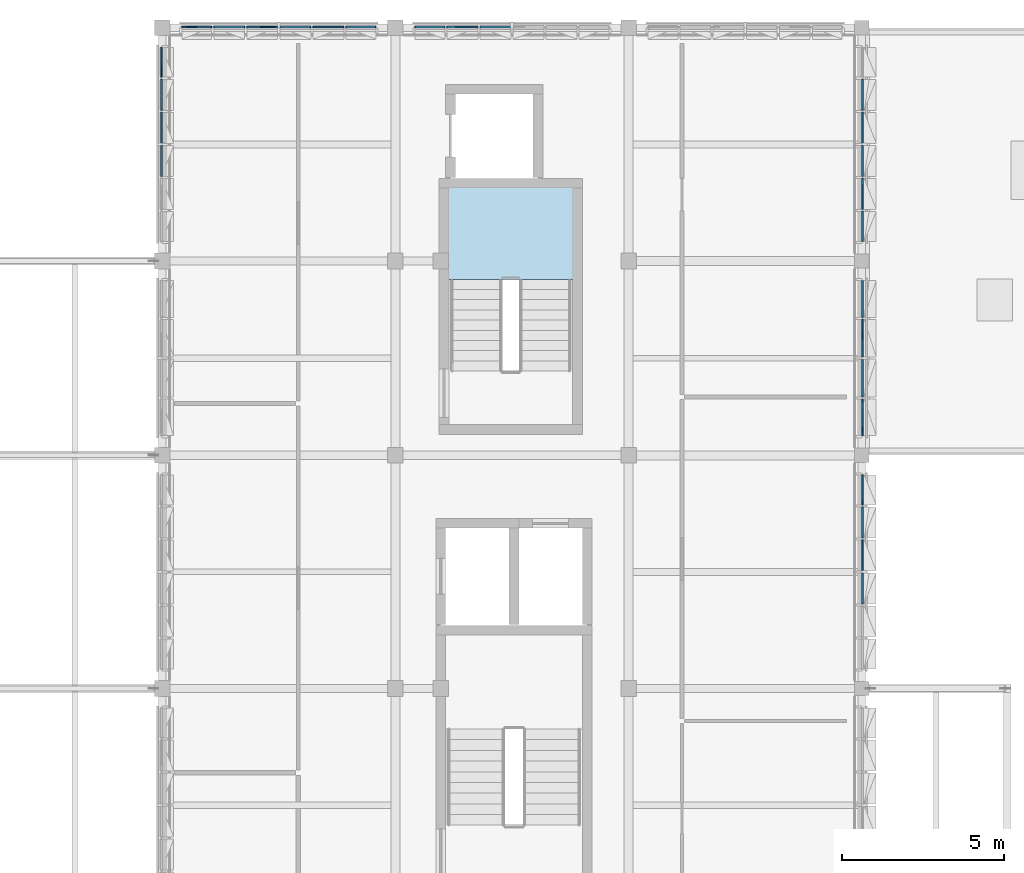
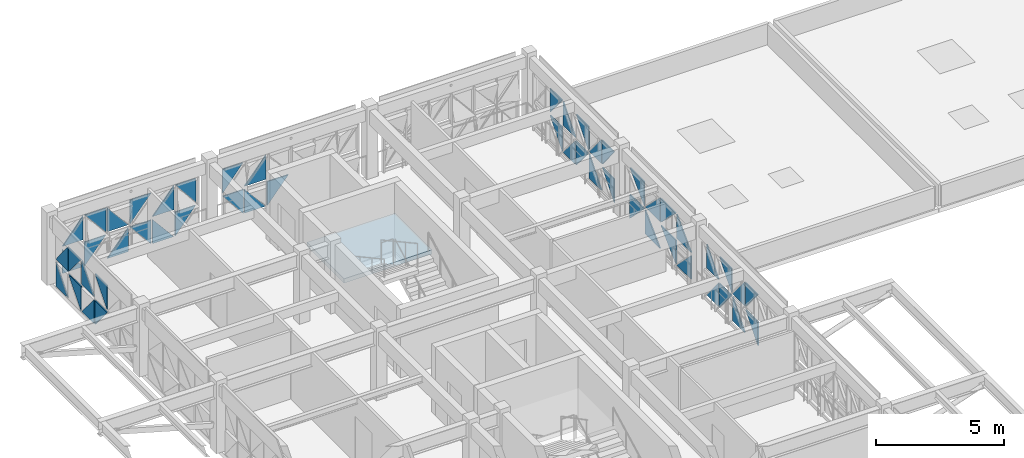
# One storey, part 14 of 30: 51 plates, 1 slab, 7 elements without a shape of their own.
"""IFC4 building model written with IfcOpenShell, lengths in metres."""

from ifc_helpers import new_model, si_unit, direction, frame, origin, place, context, subcontext, project, spatial, polyline, outline, extrude, material, layer, layer_set, type_object, element, aggregate, save


model = new_model("IFC4")

# Units and contexts
model_context = context("Model", 3, precision=1e-05, world=origin(), true_north=direction((0.0, 1.0)))
body_context = subcontext(model_context, "Body", "Model", "MODEL_VIEW")
ifc_project = project(units=[si_unit("LENGTHUNIT", "METRE"), si_unit("AREAUNIT", "SQUARE_METRE"), si_unit("VOLUMEUNIT", "CUBIC_METRE"), si_unit("PLANEANGLEUNIT", "RADIAN"), si_unit("MASSUNIT", "GRAM", prefix="KILO")], contexts=[model_context])

# Site, building, storey
site_placement = place(None, origin())
site = spatial("IfcSite", under=ifc_project, at=site_placement, CompositionType="ELEMENT")
building_placement = place(site_placement, origin())
building = spatial("IfcBuilding", under=site, at=building_placement, Name="Alvorim Cloister Faculty of Sciences", CompositionType="ELEMENT")
storey_placement = place(building_placement, frame((0.0, 0.0, 26.25)))
storey = spatial("IfcBuildingStorey", under=building, at=storey_placement, Name="L07", CompositionType="ELEMENT", Elevation=26.25)

# Curtain wall, plates
ifc_material_1 = material(Name="Aluminium and Low-E Glass Curtain Wall", Category="aluminium")
curtain_wall_type_1 = type_object("IfcCurtainWallType", Name="CW-TRI-6120x2700", PredefinedType="USERDEFINED", material=ifc_material_1)
curtain_wall_1_placement = place(storey_placement, origin())
curtain_wall_1 = element("IfcCurtainWall", 1, at=curtain_wall_1_placement, inside=storey, type_object=curtain_wall_type_1, Name="L07 Diagonal Cassette Curtain Wall CW-0271", ObjectType="UNITISED CURTAIN WALL", PredefinedType="USERDEFINED")
ifc_material_2 = material(Name="Double Low-E Laminated Glass", Category="glass")
ifc_layer_1 = layer(ifc_material_2, 0.0400390625)
ifc_layer_set_1 = layer_set([ifc_layer_1], Name="Double Low-E Laminated Glass")
plate_type = type_object("IfcPlateType", Name="PN-GLZ-40", PredefinedType="CURTAIN_PANEL", material=ifc_layer_set_1)
plate_1_placement = place(storey_placement, frame((7.175048828125, 51.8125, 0.139892578125), z_axis=(0.0, 0.0, 1.0), x_axis=(0.0, 1.0, 0.0)))
plate_1 = element("IfcPlate", 2, at=plate_1_placement, type_object=plate_type, Name="Diagonal Glazed Triangle TRI-TR", PredefinedType="CURTAIN_PANEL", context=body_context, shape_type="SweptSolid", body=[
    extrude(outline(polyline([(0.955078125, 0.001953125), (0.955078125, 1.14013671875), (0.001953125, 1.14013671875), (0.955078125, 0.001953125)])), frame((0.0, 0.02490234375, 0.0), z_axis=(0.0, -1.0, 0.0), x_axis=(1.0, 0.0, 0.0)), (0.0, 0.0, 1.0), 0.050048828125),
])
plate_2_placement = place(storey_placement, frame((7.175048828125, 51.8125, 1.419921875), z_axis=(0.0, 0.0, 1.0), x_axis=(0.0, 1.0, 0.0)))
plate_2 = element("IfcPlate", 3, at=plate_2_placement, type_object=plate_type, Name="Diagonal Glazed Triangle TRI-TL", PredefinedType="CURTAIN_PANEL", context=body_context, shape_type="SweptSolid", body=[
    extrude(outline(polyline([(0.953125, 1.14013671875), (0.0, 1.14013671875), (0.0, 0.001953125), (0.953125, 1.14013671875)])), frame((0.0, 0.02490234375, 0.0), z_axis=(0.0, -1.0, 0.0), x_axis=(1.0, 0.0, 0.0)), (0.0, 0.0, 1.0), 0.050048828125),
])
plate_3_placement = place(storey_placement, frame((7.175048828125, 52.83251953125, 0.139892578125), z_axis=(0.0, 0.0, 1.0), x_axis=(0.0, 1.0, 0.0)))
plate_3 = element("IfcPlate", 4, at=plate_3_placement, type_object=plate_type, Name="Diagonal Glazed Triangle TRI-BL", PredefinedType="CURTAIN_PANEL", context=body_context, shape_type="SweptSolid", body=[
    extrude(outline(polyline([(0.0, 0.0), (0.953125, 0.0), (0.0, 1.13818359375), (0.0, 0.0)])), frame((0.0, 0.02490234375, 0.0), z_axis=(0.0, -1.0, 0.0), x_axis=(1.0, 0.0, 0.0)), (0.0, 0.0, 1.0), 0.050048828125),
])
plate_4_placement = place(storey_placement, frame((7.175048828125, 52.83251953125, 1.419921875), z_axis=(0.0, 0.0, 1.0), x_axis=(0.0, 1.0, 0.0)))
plate_4 = element("IfcPlate", 5, at=plate_4_placement, type_object=plate_type, Name="Diagonal Glazed Triangle TRI-BR", PredefinedType="CURTAIN_PANEL", context=body_context, shape_type="SweptSolid", body=[
    extrude(outline(polyline([(0.001953125, 0.0), (0.955078125, 0.0), (0.955078125, 1.13818359375), (0.001953125, 0.0)])), frame((0.0, 0.02490234375, 0.0), z_axis=(0.0, -1.0, 0.0), x_axis=(1.0, 0.0, 0.0)), (0.0, 0.0, 1.0), 0.050048828125),
])
plate_5_placement = place(storey_placement, frame((7.175048828125, 53.8525390625, 0.139892578125), z_axis=(0.0, 0.0, 1.0), x_axis=(0.0, 1.0, 0.0)))
plate_5 = element("IfcPlate", 6, at=plate_5_placement, type_object=plate_type, Name="Diagonal Glazed Triangle TRI-TL", PredefinedType="CURTAIN_PANEL", context=body_context, shape_type="SweptSolid", body=[
    extrude(outline(polyline([(0.953125, 1.14013671875), (0.0, 1.14013671875), (0.0, 0.001953125), (0.953125, 1.14013671875)])), frame((0.0, 0.02490234375, 0.0), z_axis=(0.0, -1.0, 0.0), x_axis=(1.0, 0.0, 0.0)), (0.0, 0.0, 1.0), 0.050048828125),
])
plate_6_placement = place(storey_placement, frame((7.175048828125, 53.8525390625, 1.419921875), z_axis=(0.0, 0.0, 1.0), x_axis=(0.0, 1.0, 0.0)))
plate_6 = element("IfcPlate", 7, at=plate_6_placement, type_object=plate_type, Name="Diagonal Glazed Triangle TRI-TR", PredefinedType="CURTAIN_PANEL", context=body_context, shape_type="SweptSolid", body=[
    extrude(outline(polyline([(0.955078125, 0.001953125), (0.955078125, 1.14013671875), (0.001953125, 1.14013671875), (0.955078125, 0.001953125)])), frame((0.0, 0.02490234375, 0.0), z_axis=(0.0, -1.0, 0.0), x_axis=(1.0, 0.0, 0.0)), (0.0, 0.0, 1.0), 0.050048828125),
])
plate_7_placement = place(storey_placement, frame((7.175048828125, 54.87255859375, 0.139892578125), z_axis=(0.0, 0.0, 1.0), x_axis=(0.0, 1.0, 0.0)))
plate_7 = element("IfcPlate", 8, at=plate_7_placement, type_object=plate_type, Name="Diagonal Glazed Triangle TRI-BR", PredefinedType="CURTAIN_PANEL", context=body_context, shape_type="SweptSolid", body=[
    extrude(outline(polyline([(0.001953125, 0.0), (0.922607421875, 0.0), (0.922607421875, 1.13818359375), (0.001953125, 0.0)])), frame((0.0, 0.02490234375, 0.0), z_axis=(0.0, -1.0, 0.0), x_axis=(1.0, 0.0, 0.0)), (0.0, 0.0, 1.0), 0.050048828125),
])
plate_8_placement = place(storey_placement, frame((7.175048828125, 54.87255859375, 1.419921875), z_axis=(0.0, 0.0, 1.0), x_axis=(0.0, 1.0, 0.0)))
plate_8 = element("IfcPlate", 9, at=plate_8_placement, type_object=plate_type, Name="Diagonal Glazed Triangle TRI-BL", PredefinedType="CURTAIN_PANEL", context=body_context, shape_type="SweptSolid", body=[
    extrude(outline(polyline([(0.0, 0.0), (0.920654296875, 0.0), (0.0, 1.13818359375), (0.0, 0.0)])), frame((0.0, 0.02490234375, 0.0), z_axis=(0.0, -1.0, 0.0), x_axis=(1.0, 0.0, 0.0)), (0.0, 0.0, 1.0), 0.050048828125),
])
aggregate(curtain_wall_1, [plate_1, plate_2, plate_3, plate_4, plate_5, plate_6, plate_7, plate_8])

curtain_wall_2_placement = place(storey_placement, origin())
curtain_wall_2 = element("IfcCurtainWall", 10, at=curtain_wall_2_placement, inside=storey, type_object=curtain_wall_type_1, Name="L07 Diagonal Cassette Curtain Wall CW-0272", ObjectType="UNITISED CURTAIN WALL", PredefinedType="USERDEFINED")
plate_9_placement = place(storey_placement, frame((7.804931640625, 56.425048828125, 0.139892578125), z_axis=(0.0, 0.0, 1.0), x_axis=(1.0, 0.0, 0.0)))
plate_9 = element("IfcPlate", 11, at=plate_9_placement, type_object=plate_type, Name="Diagonal Glazed Triangle TRI-BL", PredefinedType="CURTAIN_PANEL", context=body_context, shape_type="SweptSolid", body=[
    extrude(outline(polyline([(0.0, 0.0), (0.920654296875, 0.0), (0.0, 1.13818359375), (0.0, 0.0)])), frame((0.0, 0.02490234375, 0.0), z_axis=(0.0, -1.0, 0.0), x_axis=(1.0, 0.0, 0.0)), (0.0, 0.0, 1.0), 0.050048828125),
])
plate_10_placement = place(storey_placement, frame((7.804931640625, 56.425048828125, 1.419921875), z_axis=(0.0, 0.0, 1.0), x_axis=(1.0, 0.0, 0.0)))
plate_10 = element("IfcPlate", 12, at=plate_10_placement, type_object=plate_type, Name="Diagonal Glazed Triangle TRI-BR", PredefinedType="CURTAIN_PANEL", context=body_context, shape_type="SweptSolid", body=[
    extrude(outline(polyline([(0.001953125, 0.0), (0.922607421875, 0.0), (0.922607421875, 1.13818359375), (0.001953125, 0.0)])), frame((0.0, 0.02490234375, 0.0), z_axis=(0.0, -1.0, 0.0), x_axis=(1.0, 0.0, 0.0)), (0.0, 0.0, 1.0), 0.050048828125),
])
plate_11_placement = place(storey_placement, frame((8.79248046875, 56.425048828125, 0.139892578125), z_axis=(0.0, 0.0, 1.0), x_axis=(1.0, 0.0, 0.0)))
plate_11 = element("IfcPlate", 13, at=plate_11_placement, type_object=plate_type, Name="Diagonal Glazed Triangle TRI-TL", PredefinedType="CURTAIN_PANEL", context=body_context, shape_type="SweptSolid", body=[
    extrude(outline(polyline([(0.953125, 1.14013671875), (0.0, 1.14013671875), (0.0, 0.001953125), (0.953125, 1.14013671875)])), frame((0.0, 0.02490234375, 0.0), z_axis=(0.0, -1.0, 0.0), x_axis=(1.0, 0.0, 0.0)), (0.0, 0.0, 1.0), 0.050048828125),
])
plate_12_placement = place(storey_placement, frame((8.79248046875, 56.425048828125, 1.419921875), z_axis=(0.0, 0.0, 1.0), x_axis=(1.0, 0.0, 0.0)))
plate_12 = element("IfcPlate", 14, at=plate_12_placement, type_object=plate_type, Name="Diagonal Glazed Triangle TRI-TR", PredefinedType="CURTAIN_PANEL", context=body_context, shape_type="SweptSolid", body=[
    extrude(outline(polyline([(0.955078125, 0.001953125), (0.955078125, 1.14013671875), (0.001953125, 1.14013671875), (0.955078125, 0.001953125)])), frame((0.0, 0.02490234375, 0.0), z_axis=(0.0, -1.0, 0.0), x_axis=(1.0, 0.0, 0.0)), (0.0, 0.0, 1.0), 0.050048828125),
])
plate_13_placement = place(storey_placement, frame((9.8125, 56.425048828125, 0.139892578125), z_axis=(0.0, 0.0, 1.0), x_axis=(1.0, 0.0, 0.0)))
plate_13 = element("IfcPlate", 15, at=plate_13_placement, type_object=plate_type, Name="Diagonal Glazed Triangle TRI-BR", PredefinedType="CURTAIN_PANEL", context=body_context, shape_type="SweptSolid", body=[
    extrude(outline(polyline([(0.001953125, 0.0), (0.955078125, 0.0), (0.955078125, 1.13818359375), (0.001953125, 0.0)])), frame((0.0, 0.02490234375, 0.0), z_axis=(0.0, -1.0, 0.0), x_axis=(1.0, 0.0, 0.0)), (0.0, 0.0, 1.0), 0.050048828125),
])
plate_14_placement = place(storey_placement, frame((9.8125, 56.425048828125, 1.419921875), z_axis=(0.0, 0.0, 1.0), x_axis=(1.0, 0.0, 0.0)))
plate_14 = element("IfcPlate", 16, at=plate_14_placement, type_object=plate_type, Name="Diagonal Glazed Triangle TRI-BL", PredefinedType="CURTAIN_PANEL", context=body_context, shape_type="SweptSolid", body=[
    extrude(outline(polyline([(0.0, 0.0), (0.953125, 0.0), (0.0, 1.13818359375), (0.0, 0.0)])), frame((0.0, 0.02490234375, 0.0), z_axis=(0.0, -1.0, 0.0), x_axis=(1.0, 0.0, 0.0)), (0.0, 0.0, 1.0), 0.050048828125),
])
plate_15_placement = place(storey_placement, frame((10.83251953125, 56.425048828125, 0.139892578125), z_axis=(0.0, 0.0, 1.0), x_axis=(1.0, 0.0, 0.0)))
plate_15 = element("IfcPlate", 17, at=plate_15_placement, type_object=plate_type, Name="Diagonal Glazed Triangle TRI-TR", PredefinedType="CURTAIN_PANEL", context=body_context, shape_type="SweptSolid", body=[
    extrude(outline(polyline([(0.955078125, 0.001953125), (0.955078125, 1.14013671875), (0.001953125, 1.14013671875), (0.955078125, 0.001953125)])), frame((0.0, 0.02490234375, 0.0), z_axis=(0.0, -1.0, 0.0), x_axis=(1.0, 0.0, 0.0)), (0.0, 0.0, 1.0), 0.050048828125),
])
plate_16_placement = place(storey_placement, frame((10.83251953125, 56.425048828125, 1.419921875), z_axis=(0.0, 0.0, 1.0), x_axis=(1.0, 0.0, 0.0)))
plate_16 = element("IfcPlate", 18, at=plate_16_placement, type_object=plate_type, Name="Diagonal Glazed Triangle TRI-TL", PredefinedType="CURTAIN_PANEL", context=body_context, shape_type="SweptSolid", body=[
    extrude(outline(polyline([(0.953125, 1.14013671875), (0.0, 1.14013671875), (0.0, 0.001953125), (0.953125, 1.14013671875)])), frame((0.0, 0.02490234375, 0.0), z_axis=(0.0, -1.0, 0.0), x_axis=(1.0, 0.0, 0.0)), (0.0, 0.0, 1.0), 0.050048828125),
])
plate_17_placement = place(storey_placement, frame((11.8525390625, 56.425048828125, 0.139892578125), z_axis=(0.0, 0.0, 1.0), x_axis=(1.0, 0.0, 0.0)))
plate_17 = element("IfcPlate", 19, at=plate_17_placement, type_object=plate_type, Name="Diagonal Glazed Triangle TRI-BL", PredefinedType="CURTAIN_PANEL", context=body_context, shape_type="SweptSolid", body=[
    extrude(outline(polyline([(0.0, 0.0), (0.953125, 0.0), (0.0, 1.13818359375), (0.0, 0.0)])), frame((0.0, 0.02490234375, 0.0), z_axis=(0.0, -1.0, 0.0), x_axis=(1.0, 0.0, 0.0)), (0.0, 0.0, 1.0), 0.050048828125),
])
plate_18_placement = place(storey_placement, frame((11.8525390625, 56.425048828125, 1.419921875), z_axis=(0.0, 0.0, 1.0), x_axis=(1.0, 0.0, 0.0)))
plate_18 = element("IfcPlate", 20, at=plate_18_placement, type_object=plate_type, Name="Diagonal Glazed Triangle TRI-BR", PredefinedType="CURTAIN_PANEL", context=body_context, shape_type="SweptSolid", body=[
    extrude(outline(polyline([(0.001953125, 0.0), (0.955078125, 0.0), (0.955078125, 1.13818359375), (0.001953125, 0.0)])), frame((0.0, 0.02490234375, 0.0), z_axis=(0.0, -1.0, 0.0), x_axis=(1.0, 0.0, 0.0)), (0.0, 0.0, 1.0), 0.050048828125),
])
plate_19_placement = place(storey_placement, frame((12.87255859375, 56.425048828125, 0.139892578125), z_axis=(0.0, 0.0, 1.0), x_axis=(1.0, 0.0, 0.0)))
plate_19 = element("IfcPlate", 21, at=plate_19_placement, type_object=plate_type, Name="Diagonal Glazed Triangle TRI-TL", PredefinedType="CURTAIN_PANEL", context=body_context, shape_type="SweptSolid", body=[
    extrude(outline(polyline([(0.920654296875, 1.14013671875), (0.0, 1.14013671875), (0.0, 0.001953125), (0.920654296875, 1.14013671875)])), frame((0.0, 0.02490234375, 0.0), z_axis=(0.0, -1.0, 0.0), x_axis=(1.0, 0.0, 0.0)), (0.0, 0.0, 1.0), 0.050048828125),
])
plate_20_placement = place(storey_placement, frame((12.87255859375, 56.425048828125, 1.419921875), z_axis=(0.0, 0.0, 1.0), x_axis=(1.0, 0.0, 0.0)))
plate_20 = element("IfcPlate", 22, at=plate_20_placement, type_object=plate_type, Name="Diagonal Glazed Triangle TRI-TR", PredefinedType="CURTAIN_PANEL", context=body_context, shape_type="SweptSolid", body=[
    extrude(outline(polyline([(0.922607421875, 0.001953125), (0.922607421875, 1.14013671875), (0.001953125, 1.14013671875), (0.922607421875, 0.001953125)])), frame((0.0, 0.02490234375, 0.0), z_axis=(0.0, -1.0, 0.0), x_axis=(1.0, 0.0, 0.0)), (0.0, 0.0, 1.0), 0.050048828125),
])
aggregate(curtain_wall_2, [plate_9, plate_10, plate_11, plate_12, plate_13, plate_14, plate_15, plate_16, plate_17, plate_18, plate_19, plate_20])

curtain_wall_3_placement = place(storey_placement, origin())
curtain_wall_3 = element("IfcCurtainWall", 23, at=curtain_wall_3_placement, inside=storey, type_object=curtain_wall_type_1, Name="L07 Diagonal Cassette Curtain Wall CW-0273", ObjectType="UNITISED CURTAIN WALL", PredefinedType="USERDEFINED")
plate_21_placement = place(storey_placement, frame((15.0048828125, 56.425048828125, 0.139892578125), z_axis=(0.0, 0.0, 1.0), x_axis=(1.0, 0.0, 0.0)))
plate_21 = element("IfcPlate", 24, at=plate_21_placement, type_object=plate_type, Name="Diagonal Glazed Triangle TRI-TR", PredefinedType="CURTAIN_PANEL", context=body_context, shape_type="SweptSolid", body=[
    extrude(outline(polyline([(0.922607421875, 0.001953125), (0.922607421875, 1.14013671875), (0.001953125, 1.14013671875), (0.922607421875, 0.001953125)])), frame((0.0, 0.02490234375, 0.0), z_axis=(0.0, -1.0, 0.0), x_axis=(1.0, 0.0, 0.0)), (0.0, 0.0, 1.0), 0.050048828125),
])
plate_22_placement = place(storey_placement, frame((15.0048828125, 56.425048828125, 1.419921875), z_axis=(0.0, 0.0, 1.0), x_axis=(1.0, 0.0, 0.0)))
plate_22 = element("IfcPlate", 25, at=plate_22_placement, type_object=plate_type, Name="Diagonal Glazed Triangle TRI-TL", PredefinedType="CURTAIN_PANEL", context=body_context, shape_type="SweptSolid", body=[
    extrude(outline(polyline([(0.920654296875, 1.14013671875), (0.0, 1.14013671875), (0.0, 0.001953125), (0.920654296875, 1.14013671875)])), frame((0.0, 0.02490234375, 0.0), z_axis=(0.0, -1.0, 0.0), x_axis=(1.0, 0.0, 0.0)), (0.0, 0.0, 1.0), 0.050048828125),
])
plate_23_placement = place(storey_placement, frame((15.992431640625, 56.425048828125, 0.139892578125), z_axis=(0.0, 0.0, 1.0), x_axis=(1.0, 0.0, 0.0)))
plate_23 = element("IfcPlate", 26, at=plate_23_placement, type_object=plate_type, Name="Diagonal Glazed Triangle TRI-BL", PredefinedType="CURTAIN_PANEL", context=body_context, shape_type="SweptSolid", body=[
    extrude(outline(polyline([(0.0, 0.0), (0.953125, 0.0), (0.0, 1.13818359375), (0.0, 0.0)])), frame((0.0, 0.02490234375, 0.0), z_axis=(0.0, -1.0, 0.0), x_axis=(1.0, 0.0, 0.0)), (0.0, 0.0, 1.0), 0.050048828125),
])
plate_24_placement = place(storey_placement, frame((15.992431640625, 56.425048828125, 1.419921875), z_axis=(0.0, 0.0, 1.0), x_axis=(1.0, 0.0, 0.0)))
plate_24 = element("IfcPlate", 27, at=plate_24_placement, type_object=plate_type, Name="Diagonal Glazed Triangle TRI-BR", PredefinedType="CURTAIN_PANEL", context=body_context, shape_type="SweptSolid", body=[
    extrude(outline(polyline([(0.001953125, 0.0), (0.955078125, 0.0), (0.955078125, 1.13818359375), (0.001953125, 0.0)])), frame((0.0, 0.02490234375, 0.0), z_axis=(0.0, -1.0, 0.0), x_axis=(1.0, 0.0, 0.0)), (0.0, 0.0, 1.0), 0.050048828125),
])
plate_25_placement = place(storey_placement, frame((17.012451171875, 56.425048828125, 0.139892578125), z_axis=(0.0, 0.0, 1.0), x_axis=(1.0, 0.0, 0.0)))
plate_25 = element("IfcPlate", 28, at=plate_25_placement, type_object=plate_type, Name="Diagonal Glazed Triangle TRI-TL", PredefinedType="CURTAIN_PANEL", context=body_context, shape_type="SweptSolid", body=[
    extrude(outline(polyline([(0.953125, 1.14013671875), (0.0, 1.14013671875), (0.0, 0.001953125), (0.953125, 1.14013671875)])), frame((0.0, 0.02490234375, 0.0), z_axis=(0.0, -1.0, 0.0), x_axis=(1.0, 0.0, 0.0)), (0.0, 0.0, 1.0), 0.050048828125),
])
aggregate(curtain_wall_3, [plate_21, plate_22, plate_23, plate_24, plate_25])

curtain_wall_4_placement = place(storey_placement, origin())
curtain_wall_4 = element("IfcCurtainWall", 29, at=curtain_wall_4_placement, inside=storey, type_object=curtain_wall_type_1, Name="L07 Diagonal Cassette Curtain Wall CW-0275", ObjectType="UNITISED CURTAIN WALL", PredefinedType="USERDEFINED")
plate_26_placement = place(storey_placement, frame((28.824951171875, 49.804931640625, 0.139892578125), z_axis=(0.0, 0.0, 1.0), x_axis=(0.0, 1.0, 0.0)))
plate_26 = element("IfcPlate", 30, at=plate_26_placement, type_object=plate_type, Name="Diagonal Glazed Triangle TRI-TL", PredefinedType="CURTAIN_PANEL", context=body_context, shape_type="SweptSolid", body=[
    extrude(outline(polyline([(0.920654296875, 1.14013671875), (0.0, 1.14013671875), (0.0, 0.001953125), (0.920654296875, 1.14013671875)])), frame((0.0, 0.02490234375, 0.0), z_axis=(0.0, -1.0, 0.0), x_axis=(1.0, 0.0, 0.0)), (0.0, 0.0, 1.0), 0.050048828125),
])
plate_27_placement = place(storey_placement, frame((28.824951171875, 49.804931640625, 1.419921875), z_axis=(0.0, 0.0, 1.0), x_axis=(0.0, 1.0, 0.0)))
plate_27 = element("IfcPlate", 31, at=plate_27_placement, type_object=plate_type, Name="Diagonal Glazed Triangle TRI-TR", PredefinedType="CURTAIN_PANEL", context=body_context, shape_type="SweptSolid", body=[
    extrude(outline(polyline([(0.922607421875, 0.001953125), (0.922607421875, 1.14013671875), (0.001953125, 1.14013671875), (0.922607421875, 0.001953125)])), frame((0.0, 0.02490234375, 0.0), z_axis=(0.0, -1.0, 0.0), x_axis=(1.0, 0.0, 0.0)), (0.0, 0.0, 1.0), 0.050048828125),
])
plate_28_placement = place(storey_placement, frame((28.824951171875, 50.79248046875, 0.139892578125), z_axis=(0.0, 0.0, 1.0), x_axis=(0.0, 1.0, 0.0)))
plate_28 = element("IfcPlate", 32, at=plate_28_placement, type_object=plate_type, Name="Diagonal Glazed Triangle TRI-BR", PredefinedType="CURTAIN_PANEL", context=body_context, shape_type="SweptSolid", body=[
    extrude(outline(polyline([(0.001953125, 0.0), (0.955078125, 0.0), (0.955078125, 1.13818359375), (0.001953125, 0.0)])), frame((0.0, 0.02490234375, 0.0), z_axis=(0.0, -1.0, 0.0), x_axis=(1.0, 0.0, 0.0)), (0.0, 0.0, 1.0), 0.050048828125),
])
plate_29_placement = place(storey_placement, frame((28.824951171875, 50.79248046875, 1.419921875), z_axis=(0.0, 0.0, 1.0), x_axis=(0.0, 1.0, 0.0)))
plate_29 = element("IfcPlate", 33, at=plate_29_placement, type_object=plate_type, Name="Diagonal Glazed Triangle TRI-BL", PredefinedType="CURTAIN_PANEL", context=body_context, shape_type="SweptSolid", body=[
    extrude(outline(polyline([(0.0, 0.0), (0.953125, 0.0), (0.0, 1.13818359375), (0.0, 0.0)])), frame((0.0, 0.02490234375, 0.0), z_axis=(0.0, -1.0, 0.0), x_axis=(1.0, 0.0, 0.0)), (0.0, 0.0, 1.0), 0.050048828125),
])
plate_30_placement = place(storey_placement, frame((28.824951171875, 51.8125, 0.139892578125), z_axis=(0.0, 0.0, 1.0), x_axis=(0.0, 1.0, 0.0)))
plate_30 = element("IfcPlate", 34, at=plate_30_placement, type_object=plate_type, Name="Diagonal Glazed Triangle TRI-TR", PredefinedType="CURTAIN_PANEL", context=body_context, shape_type="SweptSolid", body=[
    extrude(outline(polyline([(0.955078125, 0.001953125), (0.955078125, 1.14013671875), (0.001953125, 1.14013671875), (0.955078125, 0.001953125)])), frame((0.0, 0.02490234375, 0.0), z_axis=(0.0, -1.0, 0.0), x_axis=(1.0, 0.0, 0.0)), (0.0, 0.0, 1.0), 0.050048828125),
])
plate_31_placement = place(storey_placement, frame((28.824951171875, 51.8125, 1.419921875), z_axis=(0.0, 0.0, 1.0), x_axis=(0.0, 1.0, 0.0)))
plate_31 = element("IfcPlate", 35, at=plate_31_placement, type_object=plate_type, Name="Diagonal Glazed Triangle TRI-TL", PredefinedType="CURTAIN_PANEL", context=body_context, shape_type="SweptSolid", body=[
    extrude(outline(polyline([(0.953125, 1.14013671875), (0.0, 1.14013671875), (0.0, 0.001953125), (0.953125, 1.14013671875)])), frame((0.0, 0.02490234375, 0.0), z_axis=(0.0, -1.0, 0.0), x_axis=(1.0, 0.0, 0.0)), (0.0, 0.0, 1.0), 0.050048828125),
])
plate_32_placement = place(storey_placement, frame((28.824951171875, 52.83251953125, 0.139892578125), z_axis=(0.0, 0.0, 1.0), x_axis=(0.0, 1.0, 0.0)))
plate_32 = element("IfcPlate", 36, at=plate_32_placement, type_object=plate_type, Name="Diagonal Glazed Triangle TRI-BL", PredefinedType="CURTAIN_PANEL", context=body_context, shape_type="SweptSolid", body=[
    extrude(outline(polyline([(0.0, 0.0), (0.953125, 0.0), (0.0, 1.13818359375), (0.0, 0.0)])), frame((0.0, 0.02490234375, 0.0), z_axis=(0.0, -1.0, 0.0), x_axis=(1.0, 0.0, 0.0)), (0.0, 0.0, 1.0), 0.050048828125),
])
plate_33_placement = place(storey_placement, frame((28.824951171875, 52.83251953125, 1.419921875), z_axis=(0.0, 0.0, 1.0), x_axis=(0.0, 1.0, 0.0)))
plate_33 = element("IfcPlate", 37, at=plate_33_placement, type_object=plate_type, Name="Diagonal Glazed Triangle TRI-BR", PredefinedType="CURTAIN_PANEL", context=body_context, shape_type="SweptSolid", body=[
    extrude(outline(polyline([(0.001953125, 0.0), (0.955078125, 0.0), (0.955078125, 1.13818359375), (0.001953125, 0.0)])), frame((0.0, 0.02490234375, 0.0), z_axis=(0.0, -1.0, 0.0), x_axis=(1.0, 0.0, 0.0)), (0.0, 0.0, 1.0), 0.050048828125),
])
plate_34_placement = place(storey_placement, frame((28.824951171875, 53.8525390625, 0.139892578125), z_axis=(0.0, 0.0, 1.0), x_axis=(0.0, 1.0, 0.0)))
plate_34 = element("IfcPlate", 38, at=plate_34_placement, type_object=plate_type, Name="Diagonal Glazed Triangle TRI-TL", PredefinedType="CURTAIN_PANEL", context=body_context, shape_type="SweptSolid", body=[
    extrude(outline(polyline([(0.953125, 1.14013671875), (0.0, 1.14013671875), (0.0, 0.001953125), (0.953125, 1.14013671875)])), frame((0.0, 0.02490234375, 0.0), z_axis=(0.0, -1.0, 0.0), x_axis=(1.0, 0.0, 0.0)), (0.0, 0.0, 1.0), 0.050048828125),
])
plate_35_placement = place(storey_placement, frame((28.824951171875, 53.8525390625, 1.419921875), z_axis=(0.0, 0.0, 1.0), x_axis=(0.0, 1.0, 0.0)))
plate_35 = element("IfcPlate", 39, at=plate_35_placement, type_object=plate_type, Name="Diagonal Glazed Triangle TRI-TR", PredefinedType="CURTAIN_PANEL", context=body_context, shape_type="SweptSolid", body=[
    extrude(outline(polyline([(0.955078125, 0.001953125), (0.955078125, 1.14013671875), (0.001953125, 1.14013671875), (0.955078125, 0.001953125)])), frame((0.0, 0.02490234375, 0.0), z_axis=(0.0, -1.0, 0.0), x_axis=(1.0, 0.0, 0.0)), (0.0, 0.0, 1.0), 0.050048828125),
])
aggregate(curtain_wall_4, [plate_26, plate_27, plate_28, plate_29, plate_30, plate_31, plate_32, plate_33, plate_34, plate_35])

curtain_wall_type_2 = type_object("IfcCurtainWallType", Name="CW-TRI-4920x2700", PredefinedType="USERDEFINED", material=ifc_material_1)
curtain_wall_5_placement = place(storey_placement, origin())
curtain_wall_5 = element("IfcCurtainWall", 40, at=curtain_wall_5_placement, inside=storey, type_object=curtain_wall_type_2, Name="L07 Diagonal Cassette Curtain Wall CW-0276", ObjectType="UNITISED CURTAIN WALL", PredefinedType="USERDEFINED")
plate_36_placement = place(storey_placement, frame((28.824951171875, 43.804931640625, 0.139892578125), z_axis=(0.0, 0.0, 1.0), x_axis=(0.0, 1.0, 0.0)))
plate_36 = element("IfcPlate", 41, at=plate_36_placement, type_object=plate_type, Name="Diagonal Glazed Triangle TRI-BL", PredefinedType="CURTAIN_PANEL", context=body_context, shape_type="SweptSolid", body=[
    extrude(outline(polyline([(0.0, 0.0), (1.130615234375, 0.0), (0.0, 1.13818359375), (0.0, 0.0)])), frame((0.0, 0.02490234375, 0.0), z_axis=(0.0, -1.0, 0.0), x_axis=(1.0, 0.0, 0.0)), (0.0, 0.0, 1.0), 0.050048828125),
])
plate_37_placement = place(storey_placement, frame((28.824951171875, 43.804931640625, 1.419921875), z_axis=(0.0, 0.0, 1.0), x_axis=(0.0, 1.0, 0.0)))
plate_37 = element("IfcPlate", 42, at=plate_37_placement, type_object=plate_type, Name="Diagonal Glazed Triangle TRI-BR", PredefinedType="CURTAIN_PANEL", context=body_context, shape_type="SweptSolid", body=[
    extrude(outline(polyline([(0.001953125, 0.0), (1.132568359375, 0.0), (1.132568359375, 1.13818359375), (0.001953125, 0.0)])), frame((0.0, 0.02490234375, 0.0), z_axis=(0.0, -1.0, 0.0), x_axis=(1.0, 0.0, 0.0)), (0.0, 0.0, 1.0), 0.050048828125),
])
plate_38_placement = place(storey_placement, frame((28.824951171875, 45.00244140625, 0.139892578125), z_axis=(0.0, 0.0, 1.0), x_axis=(0.0, 1.0, 0.0)))
plate_38 = element("IfcPlate", 43, at=plate_38_placement, type_object=plate_type, Name="Diagonal Glazed Triangle TRI-TL", PredefinedType="CURTAIN_PANEL", context=body_context, shape_type="SweptSolid", body=[
    extrude(outline(polyline([(1.1630859375, 1.14013671875), (0.0, 1.14013671875), (0.0, 0.001953125), (1.1630859375, 1.14013671875)])), frame((0.0, 0.02490234375, 0.0), z_axis=(0.0, -1.0, 0.0), x_axis=(1.0, 0.0, 0.0)), (0.0, 0.0, 1.0), 0.050048828125),
])
plate_39_placement = place(storey_placement, frame((28.824951171875, 45.00244140625, 1.419921875), z_axis=(0.0, 0.0, 1.0), x_axis=(0.0, 1.0, 0.0)))
plate_39 = element("IfcPlate", 44, at=plate_39_placement, type_object=plate_type, Name="Diagonal Glazed Triangle TRI-TR", PredefinedType="CURTAIN_PANEL", context=body_context, shape_type="SweptSolid", body=[
    extrude(outline(polyline([(1.1650390625, 0.001953125), (1.1650390625, 1.14013671875), (0.001953125, 1.14013671875), (1.1650390625, 0.001953125)])), frame((0.0, 0.02490234375, 0.0), z_axis=(0.0, -1.0, 0.0), x_axis=(1.0, 0.0, 0.0)), (0.0, 0.0, 1.0), 0.050048828125),
])
plate_40_placement = place(storey_placement, frame((28.824951171875, 46.232421875, 0.139892578125), z_axis=(0.0, 0.0, 1.0), x_axis=(0.0, 1.0, 0.0)))
plate_40 = element("IfcPlate", 45, at=plate_40_placement, type_object=plate_type, Name="Diagonal Glazed Triangle TRI-BR", PredefinedType="CURTAIN_PANEL", context=body_context, shape_type="SweptSolid", body=[
    extrude(outline(polyline([(0.001953125, 0.0), (1.1650390625, 0.0), (1.1650390625, 1.13818359375), (0.001953125, 0.0)])), frame((0.0, 0.02490234375, 0.0), z_axis=(0.0, -1.0, 0.0), x_axis=(1.0, 0.0, 0.0)), (0.0, 0.0, 1.0), 0.050048828125),
])
plate_41_placement = place(storey_placement, frame((28.824951171875, 46.232421875, 1.419921875), z_axis=(0.0, 0.0, 1.0), x_axis=(0.0, 1.0, 0.0)))
plate_41 = element("IfcPlate", 46, at=plate_41_placement, type_object=plate_type, Name="Diagonal Glazed Triangle TRI-BL", PredefinedType="CURTAIN_PANEL", context=body_context, shape_type="SweptSolid", body=[
    extrude(outline(polyline([(0.0, 0.0), (1.1630859375, 0.0), (0.0, 1.13818359375), (0.0, 0.0)])), frame((0.0, 0.02490234375, 0.0), z_axis=(0.0, -1.0, 0.0), x_axis=(1.0, 0.0, 0.0)), (0.0, 0.0, 1.0), 0.050048828125),
])
plate_42_placement = place(storey_placement, frame((28.824951171875, 47.46240234375, 0.139892578125), z_axis=(0.0, 0.0, 1.0), x_axis=(0.0, 1.0, 0.0)))
plate_42 = element("IfcPlate", 47, at=plate_42_placement, type_object=plate_type, Name="Diagonal Glazed Triangle TRI-TR", PredefinedType="CURTAIN_PANEL", context=body_context, shape_type="SweptSolid", body=[
    extrude(outline(polyline([(1.132568359375, 0.001953125), (1.132568359375, 1.14013671875), (0.001953125, 1.14013671875), (1.132568359375, 0.001953125)])), frame((0.0, 0.02490234375, 0.0), z_axis=(0.0, -1.0, 0.0), x_axis=(1.0, 0.0, 0.0)), (0.0, 0.0, 1.0), 0.050048828125),
])
plate_43_placement = place(storey_placement, frame((28.824951171875, 47.46240234375, 1.419921875), z_axis=(0.0, 0.0, 1.0), x_axis=(0.0, 1.0, 0.0)))
plate_43 = element("IfcPlate", 48, at=plate_43_placement, type_object=plate_type, Name="Diagonal Glazed Triangle TRI-TL", PredefinedType="CURTAIN_PANEL", context=body_context, shape_type="SweptSolid", body=[
    extrude(outline(polyline([(1.130615234375, 1.14013671875), (0.0, 1.14013671875), (0.0, 0.001953125), (1.130615234375, 1.14013671875)])), frame((0.0, 0.02490234375, 0.0), z_axis=(0.0, -1.0, 0.0), x_axis=(1.0, 0.0, 0.0)), (0.0, 0.0, 1.0), 0.050048828125),
])
aggregate(curtain_wall_5, [plate_36, plate_37, plate_38, plate_39, plate_40, plate_41, plate_42, plate_43])

curtain_wall_6_placement = place(storey_placement, origin())
curtain_wall_6 = element("IfcCurtainWall", 49, at=curtain_wall_6_placement, inside=storey, type_object=curtain_wall_type_1, Name="L07 Diagonal Cassette Curtain Wall CW-0277", ObjectType="UNITISED CURTAIN WALL", PredefinedType="USERDEFINED")
plate_44_placement = place(storey_placement, frame((28.824951171875, 38.612548828125, 0.139892578125), z_axis=(0.0, 0.0, 1.0), x_axis=(0.0, 1.0, 0.0)))
plate_44 = element("IfcPlate", 50, at=plate_44_placement, type_object=plate_type, Name="Diagonal Glazed Triangle TRI-TL", PredefinedType="CURTAIN_PANEL", context=body_context, shape_type="SweptSolid", body=[
    extrude(outline(polyline([(0.953125, 1.14013671875), (0.0, 1.14013671875), (0.0, 0.001953125), (0.953125, 1.14013671875)])), frame((0.0, 0.02490234375, 0.0), z_axis=(0.0, -1.0, 0.0), x_axis=(1.0, 0.0, 0.0)), (0.0, 0.0, 1.0), 0.050048828125),
])
plate_45_placement = place(storey_placement, frame((28.824951171875, 38.612548828125, 1.419921875), z_axis=(0.0, 0.0, 1.0), x_axis=(0.0, 1.0, 0.0)))
plate_45 = element("IfcPlate", 51, at=plate_45_placement, type_object=plate_type, Name="Diagonal Glazed Triangle TRI-TR", PredefinedType="CURTAIN_PANEL", context=body_context, shape_type="SweptSolid", body=[
    extrude(outline(polyline([(0.955078125, 0.001953125), (0.955078125, 1.14013671875), (0.001953125, 1.14013671875), (0.955078125, 0.001953125)])), frame((0.0, 0.02490234375, 0.0), z_axis=(0.0, -1.0, 0.0), x_axis=(1.0, 0.0, 0.0)), (0.0, 0.0, 1.0), 0.050048828125),
])
plate_46_placement = place(storey_placement, frame((28.824951171875, 39.632568359375, 0.139892578125), z_axis=(0.0, 0.0, 1.0), x_axis=(0.0, 1.0, 0.0)))
plate_46 = element("IfcPlate", 52, at=plate_46_placement, type_object=plate_type, Name="Diagonal Glazed Triangle TRI-BR", PredefinedType="CURTAIN_PANEL", context=body_context, shape_type="SweptSolid", body=[
    extrude(outline(polyline([(0.001953125, 0.0), (0.955078125, 0.0), (0.955078125, 1.13818359375), (0.001953125, 0.0)])), frame((0.0, 0.02490234375, 0.0), z_axis=(0.0, -1.0, 0.0), x_axis=(1.0, 0.0, 0.0)), (0.0, 0.0, 1.0), 0.050048828125),
])
plate_47_placement = place(storey_placement, frame((28.824951171875, 39.632568359375, 1.419921875), z_axis=(0.0, 0.0, 1.0), x_axis=(0.0, 1.0, 0.0)))
plate_47 = element("IfcPlate", 53, at=plate_47_placement, type_object=plate_type, Name="Diagonal Glazed Triangle TRI-BL", PredefinedType="CURTAIN_PANEL", context=body_context, shape_type="SweptSolid", body=[
    extrude(outline(polyline([(0.0, 0.0), (0.953125, 0.0), (0.0, 1.13818359375), (0.0, 0.0)])), frame((0.0, 0.02490234375, 0.0), z_axis=(0.0, -1.0, 0.0), x_axis=(1.0, 0.0, 0.0)), (0.0, 0.0, 1.0), 0.050048828125),
])
plate_48_placement = place(storey_placement, frame((28.824951171875, 40.652587890625, 0.139892578125), z_axis=(0.0, 0.0, 1.0), x_axis=(0.0, 1.0, 0.0)))
plate_48 = element("IfcPlate", 54, at=plate_48_placement, type_object=plate_type, Name="Diagonal Glazed Triangle TRI-TR", PredefinedType="CURTAIN_PANEL", context=body_context, shape_type="SweptSolid", body=[
    extrude(outline(polyline([(0.955078125, 0.001953125), (0.955078125, 1.14013671875), (0.001953125, 1.14013671875), (0.955078125, 0.001953125)])), frame((0.0, 0.02490234375, 0.0), z_axis=(0.0, -1.0, 0.0), x_axis=(1.0, 0.0, 0.0)), (0.0, 0.0, 1.0), 0.050048828125),
])
plate_49_placement = place(storey_placement, frame((28.824951171875, 40.652587890625, 1.419921875), z_axis=(0.0, 0.0, 1.0), x_axis=(0.0, 1.0, 0.0)))
plate_49 = element("IfcPlate", 55, at=plate_49_placement, type_object=plate_type, Name="Diagonal Glazed Triangle TRI-TL", PredefinedType="CURTAIN_PANEL", context=body_context, shape_type="SweptSolid", body=[
    extrude(outline(polyline([(0.953125, 1.14013671875), (0.0, 1.14013671875), (0.0, 0.001953125), (0.953125, 1.14013671875)])), frame((0.0, 0.02490234375, 0.0), z_axis=(0.0, -1.0, 0.0), x_axis=(1.0, 0.0, 0.0)), (0.0, 0.0, 1.0), 0.050048828125),
])
plate_50_placement = place(storey_placement, frame((28.824951171875, 41.672607421875, 0.139892578125), z_axis=(0.0, 0.0, 1.0), x_axis=(0.0, 1.0, 0.0)))
plate_50 = element("IfcPlate", 56, at=plate_50_placement, type_object=plate_type, Name="Diagonal Glazed Triangle TRI-BL", PredefinedType="CURTAIN_PANEL", context=body_context, shape_type="SweptSolid", body=[
    extrude(outline(polyline([(0.0, 0.0), (0.920654296875, 0.0), (0.0, 1.13818359375), (0.0, 0.0)])), frame((0.0, 0.02490234375, 0.0), z_axis=(0.0, -1.0, 0.0), x_axis=(1.0, 0.0, 0.0)), (0.0, 0.0, 1.0), 0.050048828125),
])
plate_51_placement = place(storey_placement, frame((28.824951171875, 41.672607421875, 1.419921875), z_axis=(0.0, 0.0, 1.0), x_axis=(0.0, 1.0, 0.0)))
plate_51 = element("IfcPlate", 57, at=plate_51_placement, type_object=plate_type, Name="Diagonal Glazed Triangle TRI-BR", PredefinedType="CURTAIN_PANEL", context=body_context, shape_type="SweptSolid", body=[
    extrude(outline(polyline([(0.001953125, 0.0), (0.922607421875, 0.0), (0.922607421875, 1.13818359375), (0.001953125, 0.0)])), frame((0.0, 0.02490234375, 0.0), z_axis=(0.0, -1.0, 0.0), x_axis=(1.0, 0.0, 0.0)), (0.0, 0.0, 1.0), 0.050048828125),
])
aggregate(curtain_wall_6, [plate_44, plate_45, plate_46, plate_47, plate_48, plate_49, plate_50, plate_51])

# Stair, slab
ifc_material_3 = material(Name="Concrete C40", Category="concrete")
stair_type = type_object("IfcStairType", Name="STR-ST-03-1600x3450", PredefinedType="HALF_TURN_STAIR", material=ifc_material_3)
stair_placement = place(storey_placement, origin())
stair = element("IfcStair", 58, at=stair_placement, inside=storey, type_object=stair_type, Name="L07 Enclosed Smoke-Proof Stair ST-03", PredefinedType="HALF_TURN_STAIR")
ifc_layer_2 = layer(ifc_material_3, 0.199951171875)
ifc_layer_set_2 = layer_set([ifc_layer_2], Name="Concrete C40")
slab_type = type_object("IfcSlabType", Name="SL-LAND-200", PredefinedType="LANDING", material=ifc_layer_set_2)
slab_placement = place(storey_placement, frame((0.0, 0.0, 1.52490234375)))
slab = element("IfcSlab", 59, at=slab_placement, type_object=slab_type, Name="ST-03 landing 1", PredefinedType="LANDING", context=body_context, shape_type="SweptSolid", body=[
    extrude(outline(polyline([(19.93994140625, 48.635009765625), (19.93994140625, 51.52001953125), (15.97998046875, 51.52001953125), (15.97998046875, 48.635009765625), (19.93994140625, 48.635009765625)])), origin(), (0.0, 0.0, 1.0), 0.2001953125),
])
aggregate(stair, [slab])

save(model, "model.ifc")
